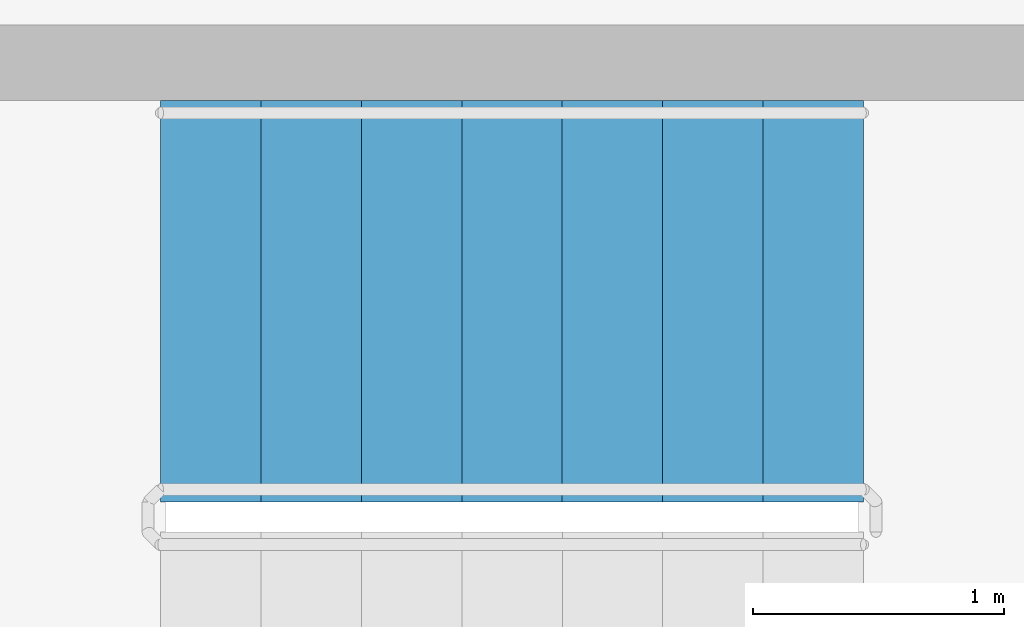
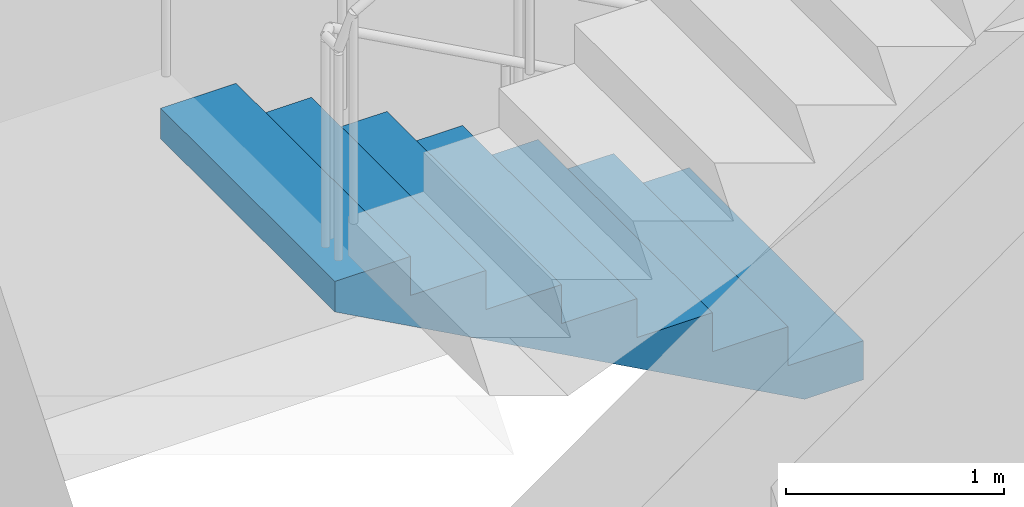
# One storey, part 17 of 18: 1 stair flight, 1 element without a shape of its own.
"""IFC4 building model written with IfcOpenShell, lengths in metres."""

import ifcopenshell
import ifcopenshell.guid

model = None  # the IFC model being written
_history = None  # IfcOwnerHistory: only IFC2X3 demands one
_inside = {}  # id of a spatial element -> (the spatial element, [elements in it])
_under = {}  # id of a project, library or spatial element -> (it, [spatial elements below it])
_declared = {}  # id of a project -> (the project, [libraries it declares])
_typed = {}  # id of a type object -> (the type object, [elements of that type])
_made_of = {}  # id of a material, layer set ... -> (it, [elements and type objects made of it])


def new_model(schema):
    """Start an empty IFC model of exactly this schema.

    Asked for "IFC4X3", IfcOpenShell would pick the latest addendum, in which some entities
    have other attributes; the version numbers below select the first issue.
    IFC2X3 requires an IfcOwnerHistory on every rooted entity: one is made here for all.
    """
    global model, _history
    if schema == "IFC4X3":
        model = ifcopenshell.file(schema_version=(4, 3, 0, 0))
    else:
        model = ifcopenshell.file(schema=schema)
    _inside.clear()
    _under.clear()
    _declared.clear()
    _typed.clear()
    _made_of.clear()
    _history = None
    if model.schema == "IFC2X3":
        org = make("IfcOrganization", Name="unknown")
        user = make(
            "IfcPersonAndOrganization",
            ThePerson=make("IfcPerson", FamilyName="unknown"),
            TheOrganization=org,
        )
        app = make(
            "IfcApplication",
            ApplicationDeveloper=org,
            Version="unknown",
            ApplicationFullName="unknown",
            ApplicationIdentifier="unknown",
        )
        _history = make(
            "IfcOwnerHistory",
            OwningUser=user,
            OwningApplication=app,
            ChangeAction="ADDED",
            CreationDate=0,
        )
    return model


def make(cls, **values):
    """One entity of the class cls with the attributes given. An attribute that is None is left unset."""
    return model.create_entity(
        cls, **{name: value for name, value in values.items() if value is not None}
    )


def rooted(cls, **values):
    """An entity with a GlobalId (a new one), such as an element, a storey or a relation."""
    return make(cls, GlobalId=ifcopenshell.guid.new(), OwnerHistory=_history, **values)


def si_unit(unit_type, name, prefix=None):
    """IfcSIUnit, for example si_unit("LENGTHUNIT", "METRE", prefix="MILLI")."""
    return make("IfcSIUnit", UnitType=unit_type, Prefix=prefix, Name=name)


def assignment(units):
    """IfcUnitAssignment: the units of a project."""
    return None if units is None else make("IfcUnitAssignment", Units=units)


def point(xyz):
    """IfcCartesianPoint."""
    return None if xyz is None else make("IfcCartesianPoint", Coordinates=xyz)


def direction(xyz):
    """IfcDirection."""
    return None if xyz is None else make("IfcDirection", DirectionRatios=xyz)


def frame(location, z_axis=None, x_axis=None):
    """IfcAxis2Placement3D, a coordinate frame: its origin and axes. An axis left out is left unset."""
    return make(
        "IfcAxis2Placement3D",
        Location=point(location),
        Axis=direction(z_axis),
        RefDirection=direction(x_axis),
    )


def origin():
    """The frame at (0, 0, 0) with its axes left unset."""
    return frame((0.0, 0.0, 0.0))


def place(relative_to, where):
    """IfcLocalPlacement: puts the frame where relative to a parent placement (None: the world)."""
    return make(
        "IfcLocalPlacement", PlacementRelTo=relative_to, RelativePlacement=where
    )


def context(
    kind, dimensions, precision=None, world=None, true_north=None, identifier=None
):
    """IfcGeometricRepresentationContext, for example the 3D "Model" context."""
    return make(
        "IfcGeometricRepresentationContext",
        ContextIdentifier=identifier,
        ContextType=kind,
        CoordinateSpaceDimension=dimensions,
        Precision=precision,
        WorldCoordinateSystem=world,
        TrueNorth=true_north,
    )


def subcontext(parent, identifier, kind, view, scale=None):
    """IfcGeometricRepresentationSubContext, for example "Body" below "Model"."""
    return make(
        "IfcGeometricRepresentationSubContext",
        ContextIdentifier=identifier,
        ContextType=kind,
        ParentContext=parent,
        TargetScale=scale,
        TargetView=view,
    )


def project(units=None, contexts=None):
    """IfcProject with its units and contexts."""
    return rooted(
        "IfcProject",
        Name="project",
        RepresentationContexts=contexts,
        UnitsInContext=assignment(units),
    )


def spatial(cls, under=None, at=None, **own):
    """A site, building, storey or space (cls), placed at a placement, below another one or the project."""
    s = rooted(cls, ObjectPlacement=at, **own)
    if under is not None:
        _under.setdefault(under.id(), (under, []))[1].append(s)
    return s


def polyline(points):
    """IfcPolyline through the points."""
    return make("IfcPolyline", Points=[point(p) for p in points])


def outline(outer, holes=None, kind="AREA"):
    """IfcArbitraryClosedProfileDef: a profile drawn as a closed curve; with holes, ...WithVoids."""
    if holes is None:
        return make("IfcArbitraryClosedProfileDef", ProfileType=kind, OuterCurve=outer)
    return make(
        "IfcArbitraryProfileDefWithVoids",
        ProfileType=kind,
        OuterCurve=outer,
        InnerCurves=holes,
    )


def extrude(swept, where, along, depth):
    """IfcExtrudedAreaSolid: the profile swept, set in the frame where, extruded along a direction by depth."""
    return make(
        "IfcExtrudedAreaSolid",
        SweptArea=swept,
        Position=where,
        ExtrudedDirection=direction(along),
        Depth=depth,
    )


def shape(context_of_items, identifier, shape_type, items):
    """IfcShapeRepresentation: the items that make up one representation, for example the "Body"."""
    return make(
        "IfcShapeRepresentation",
        ContextOfItems=context_of_items,
        RepresentationIdentifier=identifier,
        RepresentationType=shape_type,
        Items=items,
    )


def material(Name=None, Category=None):
    """IfcMaterial."""
    return make("IfcMaterial", Name=Name, Category=Category)


def made_of(thing, what):
    """Note that an element or type object is made of a material, layer set ...; save() writes the relation."""
    if what is not None:
        _made_of.setdefault(what.id(), (what, []))[1].append(thing)
    return thing


def type_object(cls, material=None, **own):
    """A type object (cls), such as IfcWallType, which elements share."""
    return made_of(rooted(cls, **own), material)


def element(
    cls,
    number,
    at=None,
    inside=None,
    cuts=None,
    type_object=None,
    material=None,
    context=None,
    identifier="Body",
    shape_type=None,
    held_by="IfcProductDefinitionShape",
    body=None,
    shapes=None,
    **own,
):
    """One element of the class cls, such as IfcWall. Its Tag is "e" and its number.

    at: its placement. inside: the storey or other place that contains it. cuts: it is an
    opening in that element (IfcRelVoidsElement). A single representation is given by context,
    identifier, shape_type and body (its items); several are given by shapes. held_by: the class
    of the entity that holds the representations. save() writes the other relations.
    """
    e = rooted(cls, Tag="e%d" % number, ObjectPlacement=at, **own)
    if body is not None:
        shapes = [shape(context, identifier, shape_type, body)]
    if shapes is not None:
        e.Representation = make(held_by, Representations=shapes)
    if inside is not None:
        _inside.setdefault(inside.id(), (inside, []))[1].append(e)
    if cuts is not None:
        rooted(
            "IfcRelVoidsElement", RelatingBuildingElement=cuts, RelatedOpeningElement=e
        )
    if type_object is not None:
        _typed.setdefault(type_object.id(), (type_object, []))[1].append(e)
    return made_of(e, material)


def aggregate(whole, parts):
    """IfcRelAggregates: a whole, such as a stair, and the parts it consists of."""
    return rooted("IfcRelAggregates", RelatingObject=whole, RelatedObjects=parts)


def save(model, path):
    """Write the relations noted so far, then the file.

    IfcRelAggregates (storeys below a building ...), IfcRelContainedInSpatialStructure (elements
    in a storey), IfcRelDefinesByType, IfcRelAssociatesMaterial and IfcRelDeclares: one each for
    every whole, place, type object, material and project.
    """
    for whole, parts in _under.values():
        aggregate(whole, parts)
    for where, things in _inside.values():
        rooted(
            "IfcRelContainedInSpatialStructure",
            RelatedElements=things,
            RelatingStructure=where,
        )
    for kind, things in _typed.values():
        rooted("IfcRelDefinesByType", RelatedObjects=things, RelatingType=kind)
    for what, things in _made_of.values():
        rooted("IfcRelAssociatesMaterial", RelatedObjects=things, RelatingMaterial=what)
    for by, libraries in _declared.values():
        rooted("IfcRelDeclares", RelatingContext=by, RelatedDefinitions=libraries)
    model.write(path)


model = new_model("IFC4")

# Units and contexts
model_context = context("Model", 3, precision=1e-05, world=origin(), true_north=direction((0.0, 1.0)))
body_context = subcontext(model_context, "Body", "Model", "MODEL_VIEW")
ifc_project = project(units=[si_unit("LENGTHUNIT", "METRE"), si_unit("AREAUNIT", "SQUARE_METRE"), si_unit("VOLUMEUNIT", "CUBIC_METRE"), si_unit("PLANEANGLEUNIT", "RADIAN"), si_unit("MASSUNIT", "GRAM", prefix="KILO")], contexts=[model_context])

# Site, building, storey
site_placement = place(None, origin())
site = spatial("IfcSite", under=ifc_project, at=site_placement, CompositionType="ELEMENT")
building_placement = place(site_placement, origin())
building = spatial("IfcBuilding", under=site, at=building_placement, Name="Spindle Arch Residences", CompositionType="ELEMENT")
storey_placement = place(building_placement, frame((0.0, 0.0, 277.39990234375)))
storey = spatial("IfcBuildingStorey", under=building, at=storey_placement, Name="L71", CompositionType="ELEMENT", Elevation=277.39990234375)

# Stair, stair flight
ifc_material_1 = material(Name="Concrete C50/60", Category="concrete")
stair_type = type_object("IfcStairType", Name="Exit stair 16 risers", PredefinedType="HALF_TURN_STAIR", material=ifc_material_1)
stair_placement = place(storey_placement, origin())
stair = element("IfcStair", 1, at=stair_placement, inside=storey, type_object=stair_type, Name="L71 Exit stair ST1", PredefinedType="HALF_TURN_STAIR")
ifc_material_2 = material(Name="Concrete C50/60", Category="concrete")
stair_flight_type = type_object("IfcStairFlightType", Name="Exit stair flight", PredefinedType="STRAIGHT", material=ifc_material_2)
stair_flight_placement = place(storey_placement, frame((5.14990234375, 7.8701171875, 0.0), z_axis=(0.0, 0.0, 1.0), x_axis=(-1.0, 0.0, 0.0)))
stair_flight = element("IfcStairFlight", 2, at=stair_flight_placement, type_object=stair_flight_type, Name="ST1 flight 1", NumberOfRisers=8, NumberOfTreads=7, PredefinedType="STRAIGHT", RiserHeight=0.21875, TreadLength=0.4, context=body_context, shape_type="SweptSolid", body=[
    extrude(outline(polyline([(0.0, 0.0), (0.0, 0.21875), (0.39990234375, 0.21875), (0.39990234375, 0.4375), (0.800048828125, 0.4375), (0.800048828125, 0.65625), (1.199951171875, 0.65625), (1.199951171875, 0.875), (1.60009765625, 0.875), (1.60009765625, 1.09375), (2.0, 1.09375), (2.0, 1.3125), (2.39990234375, 1.3125), (2.39990234375, 1.53125), (2.800048828125, 1.53125), (2.800048828125, 1.75), (2.800048828125, 1.3603515625), (0.3125, 0.0), (0.0, 0.0)])), frame((0.0, 0.800048828125, 0.0), z_axis=(0.0, -1.0, 0.0), x_axis=(1.0, 0.0, 0.0)), (0.0, 0.0, 1.0), 1.60009765625),
])
aggregate(stair, [stair_flight])

save(model, "model.ifc")
